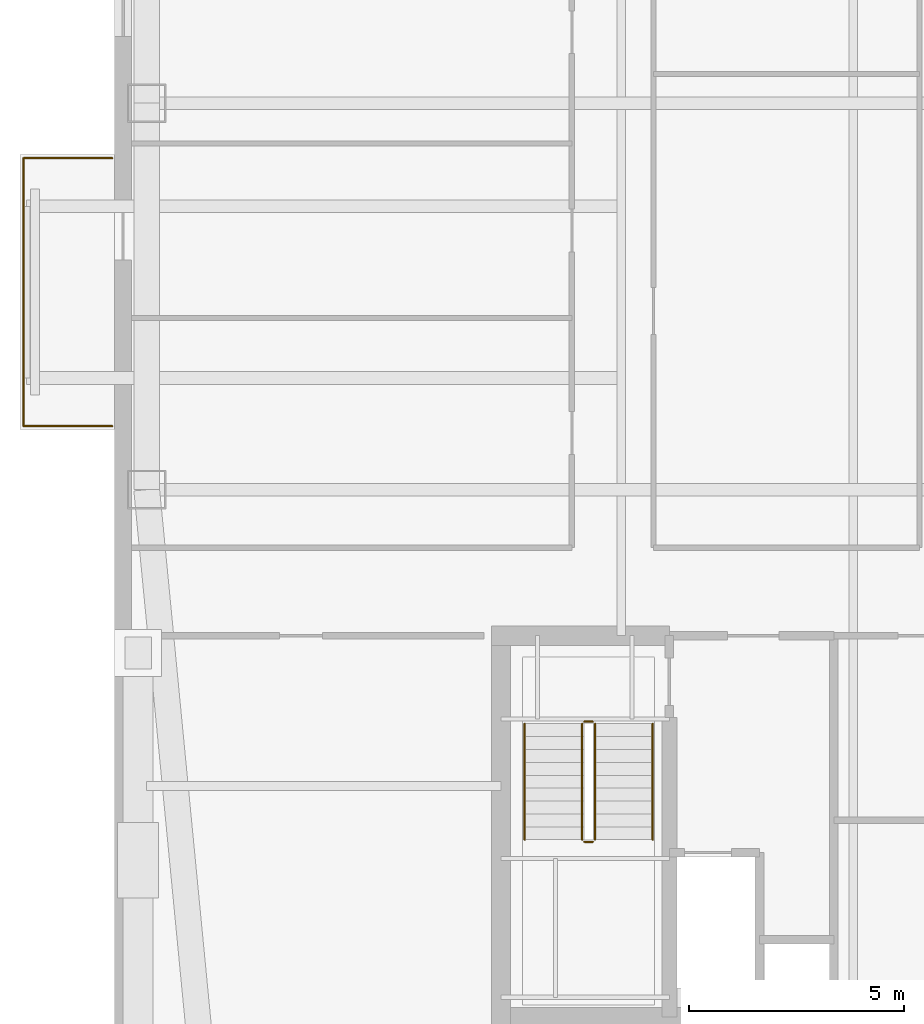
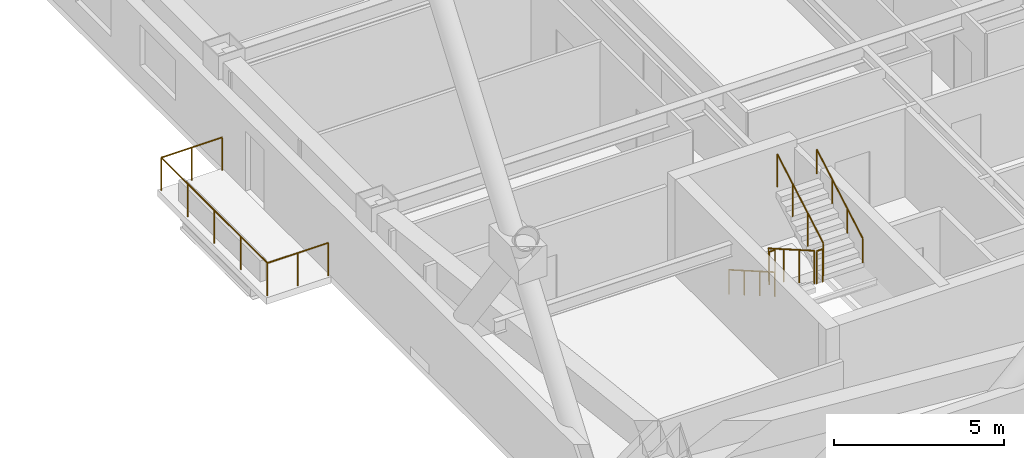
# One storey, part 13 of 16: 7 railings.
"""IFC4 building model written with IfcOpenShell, lengths in metres."""

import ifcopenshell
import ifcopenshell.guid

model = None  # the IFC model being written
_history = None  # IfcOwnerHistory: only IFC2X3 demands one
_inside = {}  # id of a spatial element -> (the spatial element, [elements in it])
_under = {}  # id of a project, library or spatial element -> (it, [spatial elements below it])
_declared = {}  # id of a project -> (the project, [libraries it declares])
_typed = {}  # id of a type object -> (the type object, [elements of that type])
_made_of = {}  # id of a material, layer set ... -> (it, [elements and type objects made of it])


def new_model(schema):
    """Start an empty IFC model of exactly this schema.

    Asked for "IFC4X3", IfcOpenShell would pick the latest addendum, in which some entities
    have other attributes; the version numbers below select the first issue.
    IFC2X3 requires an IfcOwnerHistory on every rooted entity: one is made here for all.
    """
    global model, _history
    if schema == "IFC4X3":
        model = ifcopenshell.file(schema_version=(4, 3, 0, 0))
    else:
        model = ifcopenshell.file(schema=schema)
    _inside.clear()
    _under.clear()
    _declared.clear()
    _typed.clear()
    _made_of.clear()
    _history = None
    if model.schema == "IFC2X3":
        org = make("IfcOrganization", Name="unknown")
        user = make(
            "IfcPersonAndOrganization",
            ThePerson=make("IfcPerson", FamilyName="unknown"),
            TheOrganization=org,
        )
        app = make(
            "IfcApplication",
            ApplicationDeveloper=org,
            Version="unknown",
            ApplicationFullName="unknown",
            ApplicationIdentifier="unknown",
        )
        _history = make(
            "IfcOwnerHistory",
            OwningUser=user,
            OwningApplication=app,
            ChangeAction="ADDED",
            CreationDate=0,
        )
    return model


def make(cls, **values):
    """One entity of the class cls with the attributes given. An attribute that is None is left unset."""
    return model.create_entity(
        cls, **{name: value for name, value in values.items() if value is not None}
    )


def rooted(cls, **values):
    """An entity with a GlobalId (a new one), such as an element, a storey or a relation."""
    return make(cls, GlobalId=ifcopenshell.guid.new(), OwnerHistory=_history, **values)


def si_unit(unit_type, name, prefix=None):
    """IfcSIUnit, for example si_unit("LENGTHUNIT", "METRE", prefix="MILLI")."""
    return make("IfcSIUnit", UnitType=unit_type, Prefix=prefix, Name=name)


def assignment(units):
    """IfcUnitAssignment: the units of a project."""
    return None if units is None else make("IfcUnitAssignment", Units=units)


def point(xyz):
    """IfcCartesianPoint."""
    return None if xyz is None else make("IfcCartesianPoint", Coordinates=xyz)


def direction(xyz):
    """IfcDirection."""
    return None if xyz is None else make("IfcDirection", DirectionRatios=xyz)


def frame(location, z_axis=None, x_axis=None):
    """IfcAxis2Placement3D, a coordinate frame: its origin and axes. An axis left out is left unset."""
    return make(
        "IfcAxis2Placement3D",
        Location=point(location),
        Axis=direction(z_axis),
        RefDirection=direction(x_axis),
    )


def frame_2d(location, x_axis=None):
    """IfcAxis2Placement2D, a coordinate frame in the plane: its origin and x axis."""
    return make(
        "IfcAxis2Placement2D", Location=point(location), RefDirection=direction(x_axis)
    )


def origin():
    """The frame at (0, 0, 0) with its axes left unset."""
    return frame((0.0, 0.0, 0.0))


def origin_2d():
    """The frame at (0, 0) in the plane with its x axis left unset."""
    return frame_2d((0.0, 0.0))


def place(relative_to, where):
    """IfcLocalPlacement: puts the frame where relative to a parent placement (None: the world)."""
    return make(
        "IfcLocalPlacement", PlacementRelTo=relative_to, RelativePlacement=where
    )


def context(
    kind, dimensions, precision=None, world=None, true_north=None, identifier=None
):
    """IfcGeometricRepresentationContext, for example the 3D "Model" context."""
    return make(
        "IfcGeometricRepresentationContext",
        ContextIdentifier=identifier,
        ContextType=kind,
        CoordinateSpaceDimension=dimensions,
        Precision=precision,
        WorldCoordinateSystem=world,
        TrueNorth=true_north,
    )


def subcontext(parent, identifier, kind, view, scale=None):
    """IfcGeometricRepresentationSubContext, for example "Body" below "Model"."""
    return make(
        "IfcGeometricRepresentationSubContext",
        ContextIdentifier=identifier,
        ContextType=kind,
        ParentContext=parent,
        TargetScale=scale,
        TargetView=view,
    )


def project(units=None, contexts=None):
    """IfcProject with its units and contexts."""
    return rooted(
        "IfcProject",
        Name="project",
        RepresentationContexts=contexts,
        UnitsInContext=assignment(units),
    )


def spatial(cls, under=None, at=None, **own):
    """A site, building, storey or space (cls), placed at a placement, below another one or the project."""
    s = rooted(cls, ObjectPlacement=at, **own)
    if under is not None:
        _under.setdefault(under.id(), (under, []))[1].append(s)
    return s


def profile(cls, at=None, kind="AREA", **sizes):
    """A parametric profile (cls). Its sizes go by their IFC names, for example OverallWidth=200.0."""
    return make(cls, ProfileType=kind, Position=at, **sizes)


def circle(**sizes):
    """IfcCircleProfileDef."""
    return profile("IfcCircleProfileDef", **sizes)


def extrude(swept, where, along, depth):
    """IfcExtrudedAreaSolid: the profile swept, set in the frame where, extruded along a direction by depth."""
    return make(
        "IfcExtrudedAreaSolid",
        SweptArea=swept,
        Position=where,
        ExtrudedDirection=direction(along),
        Depth=depth,
    )


def shape(context_of_items, identifier, shape_type, items):
    """IfcShapeRepresentation: the items that make up one representation, for example the "Body"."""
    return make(
        "IfcShapeRepresentation",
        ContextOfItems=context_of_items,
        RepresentationIdentifier=identifier,
        RepresentationType=shape_type,
        Items=items,
    )


def material(Name=None, Category=None):
    """IfcMaterial."""
    return make("IfcMaterial", Name=Name, Category=Category)


def made_of(thing, what):
    """Note that an element or type object is made of a material, layer set ...; save() writes the relation."""
    if what is not None:
        _made_of.setdefault(what.id(), (what, []))[1].append(thing)
    return thing


def type_object(cls, material=None, **own):
    """A type object (cls), such as IfcWallType, which elements share."""
    return made_of(rooted(cls, **own), material)


def element(
    cls,
    number,
    at=None,
    inside=None,
    cuts=None,
    type_object=None,
    material=None,
    context=None,
    identifier="Body",
    shape_type=None,
    held_by="IfcProductDefinitionShape",
    body=None,
    shapes=None,
    **own,
):
    """One element of the class cls, such as IfcWall. Its Tag is "e" and its number.

    at: its placement. inside: the storey or other place that contains it. cuts: it is an
    opening in that element (IfcRelVoidsElement). A single representation is given by context,
    identifier, shape_type and body (its items); several are given by shapes. held_by: the class
    of the entity that holds the representations. save() writes the other relations.
    """
    e = rooted(cls, Tag="e%d" % number, ObjectPlacement=at, **own)
    if body is not None:
        shapes = [shape(context, identifier, shape_type, body)]
    if shapes is not None:
        e.Representation = make(held_by, Representations=shapes)
    if inside is not None:
        _inside.setdefault(inside.id(), (inside, []))[1].append(e)
    if cuts is not None:
        rooted(
            "IfcRelVoidsElement", RelatingBuildingElement=cuts, RelatedOpeningElement=e
        )
    if type_object is not None:
        _typed.setdefault(type_object.id(), (type_object, []))[1].append(e)
    return made_of(e, material)


def aggregate(whole, parts):
    """IfcRelAggregates: a whole, such as a stair, and the parts it consists of."""
    return rooted("IfcRelAggregates", RelatingObject=whole, RelatedObjects=parts)


def save(model, path):
    """Write the relations noted so far, then the file.

    IfcRelAggregates (storeys below a building ...), IfcRelContainedInSpatialStructure (elements
    in a storey), IfcRelDefinesByType, IfcRelAssociatesMaterial and IfcRelDeclares: one each for
    every whole, place, type object, material and project.
    """
    for whole, parts in _under.values():
        aggregate(whole, parts)
    for where, things in _inside.values():
        rooted(
            "IfcRelContainedInSpatialStructure",
            RelatedElements=things,
            RelatingStructure=where,
        )
    for kind, things in _typed.values():
        rooted("IfcRelDefinesByType", RelatedObjects=things, RelatingType=kind)
    for what, things in _made_of.values():
        rooted("IfcRelAssociatesMaterial", RelatedObjects=things, RelatingMaterial=what)
    for by, libraries in _declared.values():
        rooted("IfcRelDeclares", RelatingContext=by, RelatedDefinitions=libraries)
    model.write(path)


model = new_model("IFC4")

# Units and contexts
model_context = context("Model", 3, precision=1e-05, world=origin(), true_north=direction((0.0, 1.0)))
body_context = subcontext(model_context, "Body", "Model", "MODEL_VIEW")
ifc_project = project(units=[si_unit("LENGTHUNIT", "METRE"), si_unit("AREAUNIT", "SQUARE_METRE"), si_unit("VOLUMEUNIT", "CUBIC_METRE"), si_unit("PLANEANGLEUNIT", "RADIAN"), si_unit("MASSUNIT", "GRAM", prefix="KILO")], contexts=[model_context])

# Site, building, storey
site_placement = place(None, origin())
site = spatial("IfcSite", under=ifc_project, at=site_placement, CompositionType="ELEMENT")
building_placement = place(site_placement, origin())
building = spatial("IfcBuilding", under=site, at=building_placement, Name="Qiaolan Cultural Towers", CompositionType="ELEMENT")
storey_placement = place(building_placement, frame((0.0, 0.0, 188.60009765625)))
storey = spatial("IfcBuildingStorey", under=building, at=storey_placement, Name="L50", CompositionType="ELEMENT", Elevation=188.60009765625)

# Railings
ifc_material_1 = material(Name="Laminated SentryGlas & Stainless Steel S31608 Balustrade", Category="steel")
railing_type_1 = type_object("IfcRailingType", Name="GRD-TERR-1200", PredefinedType="BALUSTRADE", material=ifc_material_1)
railing_1_placement = place(storey_placement, frame((12.75, 26.47998046875, 0.0)))
element("IfcRailing", 1, at=railing_1_placement, inside=storey, type_object=railing_type_1, Name="L50 T1 Tree Balcony Guardrail W", PredefinedType="BALUSTRADE", context=body_context, shape_type="SweptSolid", body=[
    extrude(circle(Radius=0.02392578125, at=origin_2d()), frame((0.0, 0.0, 1.17578125), z_axis=(-1.0, 0.0, 0.0), x_axis=(0.0, -1.0, 0.0)), (0.0, 0.0, 1.0), 2.070068359375),
    extrude(circle(Radius=0.02392578125, at=origin_2d()), frame((-2.070068359375, 0.0, 1.17578125), z_axis=(0.0, 1.0, 0.0), x_axis=(-1.0, 0.0, 0.0)), (0.0, 0.0, 1.0), 6.239990234375),
    extrude(circle(Radius=0.02392578125, at=origin_2d()), frame((-2.070068359375, 6.239990234375, 1.17578125), z_axis=(1.0, 0.0, 0.0), x_axis=(0.0, 1.0, 0.0)), (0.0, 0.0, 1.0), 2.070068359375),
    extrude(circle(Radius=0.02099609375, at=origin_2d()), origin(), (0.0, 0.0, 1.0), 1.15185546875),
    extrude(circle(Radius=0.02099609375, at=origin_2d()), frame((-1.03515625, 0.0, 0.0)), (0.0, 0.0, 1.0), 1.15185546875),
    extrude(circle(Radius=0.02099609375, at=origin_2d()), frame((-2.070068359375, 0.0, 0.0)), (0.0, 0.0, 1.0), 1.15185546875),
    extrude(circle(Radius=0.02099609375, at=origin_2d()), frame((-2.070068359375, 1.56005859375, 0.0)), (0.0, 0.0, 1.0), 1.15185546875),
    extrude(circle(Radius=0.02099609375, at=origin_2d()), frame((-2.070068359375, 3.1201171875, 0.0)), (0.0, 0.0, 1.0), 1.15185546875),
    extrude(circle(Radius=0.02099609375, at=origin_2d()), frame((-2.070068359375, 4.679931640625, 0.0)), (0.0, 0.0, 1.0), 1.15185546875),
    extrude(circle(Radius=0.02099609375, at=origin_2d()), frame((-2.070068359375, 6.239990234375, 0.0)), (0.0, 0.0, 1.0), 1.15185546875),
    extrude(circle(Radius=0.02099609375, at=origin_2d()), frame((-1.03515625, 6.239990234375, 0.0)), (0.0, 0.0, 1.0), 1.15185546875),
    extrude(circle(Radius=0.02099609375, at=origin_2d()), frame((0.0, 6.239990234375, 0.0)), (0.0, 0.0, 1.0), 1.15185546875),
])
ifc_material_2 = material(Name="Galvanized Painted Steel Stair Guardrail", Category="steel")
railing_type_2 = type_object("IfcRailingType", Name="RL-STAIR-GRD", PredefinedType="GUARDRAIL", material=ifc_material_2)
railing_2_placement = place(storey_placement, frame((23.68994140625, 19.550048828125, 0.17236328125)))
element("IfcRailing", 2, at=railing_2_placement, inside=storey, type_object=railing_type_2, Name="L50 ST-W1 stair guard 1", PredefinedType="GUARDRAIL", context=body_context, shape_type="SweptSolid", body=[
    extrude(circle(Radius=0.02392578125, at=origin_2d()), frame((0.0, 0.0, 1.17578125), z_axis=(0.0, -0.866903762492, 0.498475542607), x_axis=(1.0, 0.0, 0.0)), (0.0, 0.0, 1.0), 3.114501953125),
    extrude(circle(Radius=0.02099609375, at=origin_2d()), origin(), (0.0, 0.0, 1.0), 1.15185546875),
    extrude(circle(Radius=0.02099609375, at=origin_2d()), frame((0.0, -0.89990234375, 0.517578125)), (0.0, 0.0, 1.0), 1.15185546875),
    extrude(circle(Radius=0.02099609375, at=origin_2d()), frame((0.0, -1.800048828125, 1.034912109375)), (0.0, 0.0, 1.0), 1.15185546875),
    extrude(circle(Radius=0.02099609375, at=origin_2d()), frame((0.0, -2.699951171875, 1.552490234375)), (0.0, 0.0, 1.0), 1.15185546875),
])
railing_3_placement = place(storey_placement, frame((23.739990234375, 16.800048828125, 1.724853515625)))
element("IfcRailing", 3, at=railing_3_placement, inside=storey, type_object=railing_type_2, Name="L50 ST-W1 stair guard 2", PredefinedType="GUARDRAIL", context=body_context, shape_type="SweptSolid", body=[
    extrude(circle(Radius=0.02392578125, at=origin_2d()), frame((0.0, 0.0, 1.17578125), z_axis=(1.0, 0.0, 0.0), x_axis=(0.0, 1.0, 0.0)), (0.0, 0.0, 1.0), 0.199951171875),
    extrude(circle(Radius=0.02099609375, at=origin_2d()), origin(), (0.0, 0.0, 1.0), 1.15185546875),
    extrude(circle(Radius=0.02099609375, at=origin_2d()), frame((0.199951171875, 0.0, 0.0)), (0.0, 0.0, 1.0), 1.15185546875),
])
railing_4_placement = place(storey_placement, frame((23.989990234375, 16.85009765625, 1.8974609375)))
element("IfcRailing", 4, at=railing_4_placement, inside=storey, type_object=railing_type_2, Name="L50 ST-W1 stair guard 3", PredefinedType="GUARDRAIL", context=body_context, shape_type="SweptSolid", body=[
    extrude(circle(Radius=0.02392578125, at=origin_2d()), frame((0.0, 0.0, 1.17578125), z_axis=(0.0, 0.866903762492, 0.498475542607), x_axis=(-1.0, 0.0, 0.0)), (0.0, 0.0, 1.0), 3.114501953125),
    extrude(circle(Radius=0.02099609375, at=origin_2d()), origin(), (0.0, 0.0, 1.0), 1.15185546875),
    extrude(circle(Radius=0.02099609375, at=origin_2d()), frame((0.0, 0.89990234375, 0.517578125)), (0.0, 0.0, 1.0), 1.15185546875),
    extrude(circle(Radius=0.02099609375, at=origin_2d()), frame((0.0, 1.800048828125, 1.034912109375)), (0.0, 0.0, 1.0), 1.15185546875),
    extrude(circle(Radius=0.02099609375, at=origin_2d()), frame((0.0, 2.699951171875, 1.552490234375)), (0.0, 0.0, 1.0), 1.15185546875),
])
railing_5_placement = place(storey_placement, frame((23.739990234375, 19.60009765625, 0.0)))
element("IfcRailing", 5, at=railing_5_placement, inside=storey, type_object=railing_type_2, Name="L50 ST-W1 stair guard 4", PredefinedType="GUARDRAIL", context=body_context, shape_type="SweptSolid", body=[
    extrude(circle(Radius=0.02392578125, at=origin_2d()), frame((0.0, 0.0, 1.17578125), z_axis=(1.0, 0.0, 0.0), x_axis=(0.0, 1.0, 0.0)), (0.0, 0.0, 1.0), 0.199951171875),
    extrude(circle(Radius=0.02099609375, at=origin_2d()), origin(), (0.0, 0.0, 1.0), 1.15185546875),
    extrude(circle(Radius=0.02099609375, at=origin_2d()), frame((0.199951171875, 0.0, 0.0)), (0.0, 0.0, 1.0), 1.15185546875),
])
ifc_material_3 = material(Name="Stainless Steel S30408 Tubular Handrail", Category="steel")
railing_type_3 = type_object("IfcRailingType", Name="RL-STAIR-HR", PredefinedType="HANDRAIL", material=ifc_material_3)
railing_6_placement = place(storey_placement, frame((22.35009765625, 19.550048828125, 0.17236328125)))
element("IfcRailing", 6, at=railing_6_placement, inside=storey, type_object=railing_type_3, Name="L50 ST-W1 stair handrail 1", PredefinedType="HANDRAIL", context=body_context, shape_type="SweptSolid", body=[
    extrude(circle(Radius=0.02392578125, at=origin_2d()), frame((0.0, 0.0, 0.8759765625), z_axis=(0.0, -0.866903762492, 0.498475542607), x_axis=(1.0, 0.0, 0.0)), (0.0, 0.0, 1.0), 3.114501953125),
    extrude(circle(Radius=0.02099609375, at=origin_2d()), origin(), (0.0, 0.0, 1.0), 0.851806640625),
    extrude(circle(Radius=0.02099609375, at=origin_2d()), frame((0.0, -0.89990234375, 0.517578125)), (0.0, 0.0, 1.0), 0.851806640625),
    extrude(circle(Radius=0.02099609375, at=origin_2d()), frame((0.0, -1.800048828125, 1.034912109375)), (0.0, 0.0, 1.0), 0.851806640625),
    extrude(circle(Radius=0.02099609375, at=origin_2d()), frame((0.0, -2.699951171875, 1.552490234375)), (0.0, 0.0, 1.0), 0.851806640625),
])
railing_7_placement = place(storey_placement, frame((25.330078125, 16.85009765625, 1.8974609375)))
element("IfcRailing", 7, at=railing_7_placement, inside=storey, type_object=railing_type_3, Name="L50 ST-W1 stair handrail 2", PredefinedType="HANDRAIL", context=body_context, shape_type="SweptSolid", body=[
    extrude(circle(Radius=0.02392578125, at=origin_2d()), frame((0.0, 0.0, 0.8759765625), z_axis=(0.0, 0.866903762492, 0.498475542607), x_axis=(-1.0, 0.0, 0.0)), (0.0, 0.0, 1.0), 3.114501953125),
    extrude(circle(Radius=0.02099609375, at=origin_2d()), origin(), (0.0, 0.0, 1.0), 0.851806640625),
    extrude(circle(Radius=0.02099609375, at=origin_2d()), frame((0.0, 0.89990234375, 0.517578125)), (0.0, 0.0, 1.0), 0.851806640625),
    extrude(circle(Radius=0.02099609375, at=origin_2d()), frame((0.0, 1.800048828125, 1.034912109375)), (0.0, 0.0, 1.0), 0.851806640625),
    extrude(circle(Radius=0.02099609375, at=origin_2d()), frame((0.0, 2.699951171875, 1.552490234375)), (0.0, 0.0, 1.0), 0.851806640625),
])

save(model, "model.ifc")
